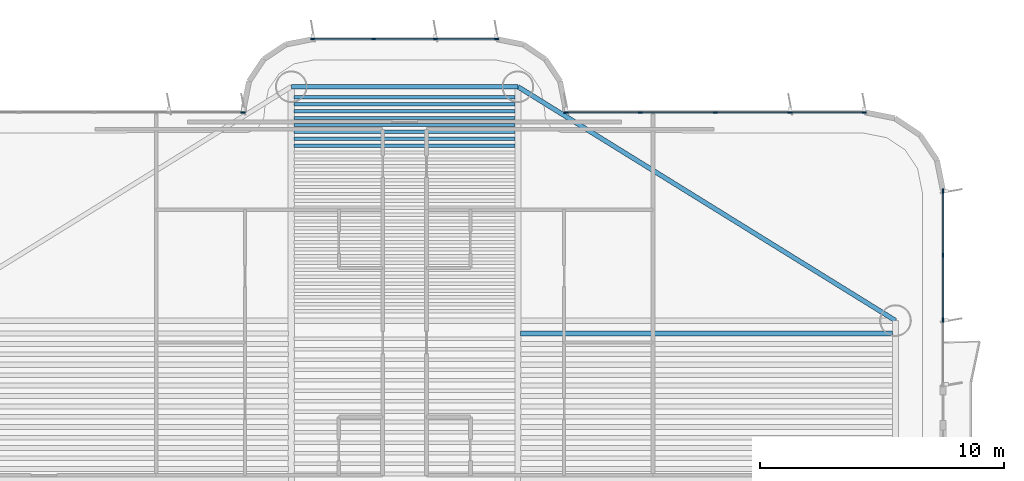
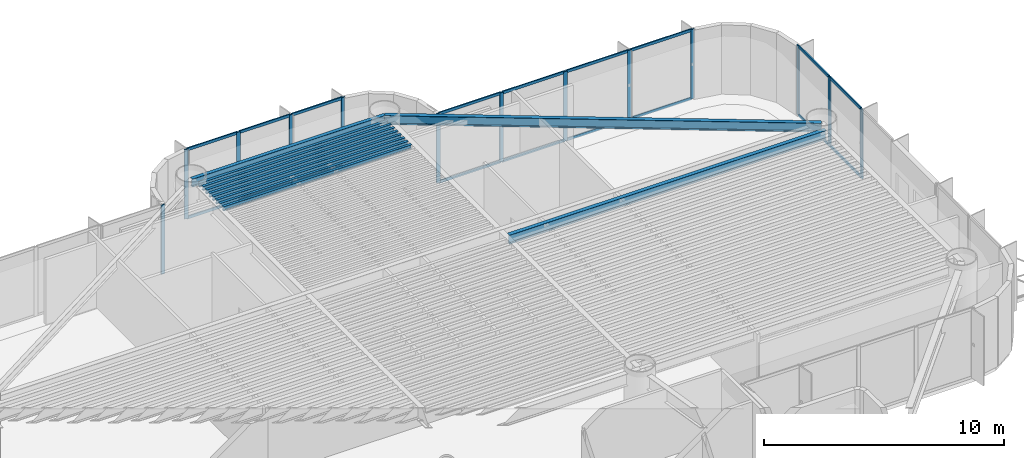
# One storey, part 7 of 16: 31 members, 11 beams, 4 elements without a shape of their own.
"""IFC4 building model written with IfcOpenShell, lengths in metres."""

from ifc_helpers import new_model, si_unit, direction, frame, origin, origin_2d, place, context, subcontext, project, spatial, rectangle, i_section, extrude, source, transform, mapped, material, layer, layer_set, material_profile, profile_set, type_object, element, aggregate, save


model = new_model("IFC4")

# Units and contexts
model_context = context("Model", 3, precision=1e-05, world=origin(), true_north=direction((0.0, 1.0)))
body_context = subcontext(model_context, "Body", "Model", "MODEL_VIEW")
ifc_project = project(units=[si_unit("LENGTHUNIT", "METRE"), si_unit("AREAUNIT", "SQUARE_METRE"), si_unit("VOLUMEUNIT", "CUBIC_METRE"), si_unit("PLANEANGLEUNIT", "RADIAN"), si_unit("MASSUNIT", "GRAM", prefix="KILO")], contexts=[model_context])

# Site, building, storey
site_placement = place(None, origin())
site = spatial("IfcSite", under=ifc_project, at=site_placement, CompositionType="ELEMENT")
building_placement = place(site_placement, origin())
building = spatial("IfcBuilding", under=site, at=building_placement, Name="Brelvock Crest Care Tower", CompositionType="ELEMENT")
storey_placement = place(building_placement, frame((0.0, 0.0, 138.9599609375)))
storey = spatial("IfcBuildingStorey", under=building, at=storey_placement, Name="L35", CompositionType="ELEMENT", Elevation=138.9599609375)

# Beams
ifc_material_1 = material(Name="Steel Grade 350", Category="steel")
ifc_material_profile_1 = material_profile(ifc_material_1, i_section(OverallWidth=0.177978515625, OverallDepth=0.406005859375, WebThickness=0.0078125, FlangeThickness=0.0126953125, FilletRadius=0.011474609375, at=origin_2d()), Name="410UB59.7")
ifc_profile_set_1 = profile_set([ifc_material_profile_1], Name="Steel Grade 350")
beam_type_1 = type_object("IfcBeamType", Name="BM-SP1", PredefinedType="SPANDREL", material=ifc_profile_set_1)
shared_shape_1 = source(origin(), body_context, "Body", "SweptSolid", [
    extrude(i_section(OverallWidth=0.177978515625, OverallDepth=0.406005859375, WebThickness=0.0078125, FlangeThickness=0.0126953125, FilletRadius=0.011474609375, at=origin_2d()), origin(), (0.0, 0.0, 1.0), 9.2998046875),
])
beam_1_placement = place(storey_placement, frame((31.35009765625, 48.449951171875, 3.3271484375), z_axis=(1.0, 0.0, 0.0), x_axis=(0.0, 1.0, 0.0)))
element("IfcBeam", 1, at=beam_1_placement, inside=storey, type_object=beam_type_1, Name="BM-TWR-L35-08", PredefinedType="SPANDREL", context=body_context, shape_type="MappedRepresentation", body=[
    mapped(shared_shape_1, transform((0.0, 0.0, 0.0), x_axis=(1.0, 0.0, 0.0), y_axis=(0.0, 1.0, 0.0), z_axis=(0.0, 0.0, 1.0), scale=1.0)),
])
ifc_material_profile_2 = material_profile(ifc_material_1, i_section(OverallWidth=0.134033203125, OverallDepth=0.20703125, WebThickness=0.00634765625, FlangeThickness=0.009521484375, FilletRadius=0.0087890625, at=origin_2d()), Name="200UB29.8")
ifc_profile_set_2 = profile_set([ifc_material_profile_2], Name="Steel Grade 350")
beam_type_2 = type_object("IfcBeamType", Name="BM-J4", PredefinedType="JOIST", material=ifc_profile_set_2)
shared_shape_2 = source(origin(), body_context, "Body", "SweptSolid", [
    extrude(i_section(OverallWidth=0.134033203125, OverallDepth=0.20703125, WebThickness=0.00634765625, FlangeThickness=0.009521484375, FilletRadius=0.0087890625, at=origin_2d()), origin(), (0.0, 0.0, 1.0), 9.06982421875),
])
for number, where, z_axis, x_axis, name in (
    (2, (31.465087890625, 46.03076171875, 3.426513671875), (1.0, 0.0, 0.0), (0.0, 1.0, 0.0), "BM-JN-L35-25"),
    (3, (31.465087890625, 46.31396484375, 3.426513671875), (1.0, 0.0, 0.0), (0.0, 1.0, 0.0), "BM-JN-L35-26"),
    (4, (31.465087890625, 46.59716796875, 3.426513671875), (1.0, 0.0, 0.0), (0.0, 1.0, 0.0), "BM-JN-L35-27"),
    (5, (31.465087890625, 46.88037109375, 3.426513671875), (1.0, 0.0, 0.0), (0.0, 1.0, 0.0), "BM-JN-L35-28"),
    (6, (31.465087890625, 47.16357421875, 3.426513671875), (1.0, 0.0, 0.0), (0.0, 1.0, 0.0), "BM-JN-L35-29"),
    (7, (31.465087890625, 47.44677734375, 3.426513671875), (1.0, 0.0, 0.0), (0.0, 1.0, 0.0), "BM-JN-L35-30"),
    (8, (31.465087890625, 47.72998046875, 3.426513671875), (1.0, 0.0, 0.0), (0.0, 1.0, 0.0), "BM-JN-L35-31"),
    (9, (31.465087890625, 48.01318359375, 3.426513671875), (1.0, 0.0, 0.0), (0.0, 1.0, 0.0), "BM-JN-L35-32"),
):
    element("IfcBeam", number, at=place(storey_placement, frame(where, z_axis=z_axis, x_axis=x_axis)), inside=storey, type_object=beam_type_2, Name=name, PredefinedType="JOIST", context=body_context, shape_type="MappedRepresentation", body=[
        mapped(shared_shape_2, transform((0.0, 0.0, 0.0), x_axis=(1.0, 0.0, 0.0), y_axis=(0.0, 1.0, 0.0), z_axis=(0.0, 0.0, 1.0), scale=1.0)),
    ])
ifc_material_profile_3 = material_profile(ifc_material_1, i_section(OverallWidth=0.19091796875, OverallDepth=0.4599609375, WebThickness=0.010009765625, FlangeThickness=0.01611328125, FilletRadius=0.011474609375, at=origin_2d()), Name="460UB82.1")
ifc_profile_set_3 = profile_set([ifc_material_profile_3], Name="Steel Grade 350")
beam_type_3 = type_object("IfcBeamType", Name="BM-G3", PredefinedType="BEAM", material=ifc_profile_set_3)
shared_shape_3 = source(origin(), body_context, "Body", "SweptSolid", [
    extrude(i_section(OverallWidth=0.19091796875, OverallDepth=0.4599609375, WebThickness=0.010009765625, FlangeThickness=0.01611328125, FilletRadius=0.011474609375, at=origin_2d()), origin(), (0.0, 0.0, 1.0), 15.27001953125),
])
beam_2_placement = place(storey_placement, frame((40.764892578125, 38.317626953125, 3.300048828125), z_axis=(1.0, 0.0, 0.0), x_axis=(0.0, 1.0, 0.0)))
element("IfcBeam", 10, at=beam_2_placement, inside=storey, type_object=beam_type_3, Name="BM-JE-L35-26", PredefinedType="BEAM", context=body_context, shape_type="MappedRepresentation", body=[
    mapped(shared_shape_3, transform((0.0, 0.0, 0.0), x_axis=(1.0, 0.0, 0.0), y_axis=(0.0, 1.0, 0.0), z_axis=(0.0, 0.0, 1.0), scale=1.0)),
])
ifc_material_profile_4 = material_profile(ifc_material_1, i_section(OverallWidth=0.19091796875, OverallDepth=0.4599609375, WebThickness=0.010009765625, FlangeThickness=0.01611328125, FilletRadius=0.011474609375, at=origin_2d()), Name="460UB82.1")
ifc_profile_set_4 = profile_set([ifc_material_profile_4], Name="Steel Grade 350")
beam_type_4 = type_object("IfcBeamType", Name="BM-SP2", PredefinedType="SPANDREL", material=ifc_profile_set_4)
shared_shape_4 = source(origin(), body_context, "Body", "SweptSolid", [
    extrude(i_section(OverallWidth=0.19091796875, OverallDepth=0.4599609375, WebThickness=0.010009765625, FlangeThickness=0.01611328125, FilletRadius=0.011474609375, at=origin_2d()), origin(), (0.0, 0.0, 1.0), 18.23193359375),
])
beam_3_placement = place(storey_placement, frame((40.64990234375, 48.449951171875, 3.300048828125), z_axis=(0.85015183248, -0.526537616635, 0.0), x_axis=(0.526537616635, 0.85015183248, 0.0)))
element("IfcBeam", 11, at=beam_3_placement, inside=storey, type_object=beam_type_4, Name="BM-TWR-L35-07", PredefinedType="SPANDREL", context=body_context, shape_type="MappedRepresentation", body=[
    mapped(shared_shape_4, transform((0.0, 0.0, 0.0), x_axis=(1.0, 0.0, 0.0), y_axis=(0.0, 1.0, 0.0), z_axis=(0.0, 0.0, 1.0), scale=1.0)),
])

# Curtain wall, member
ifc_material_2 = material(Name="Dark Glass Double Glazed Low-E", Category="glass")
ifc_layer = layer(ifc_material_2, 0.2099609375, Name="CWS-3")
ifc_layer_set = layer_set([ifc_layer], Name="Dark Glass Double Glazed Low-E")
curtain_wall_type = type_object("IfcCurtainWallType", Name="CWS-3", PredefinedType="NOTDEFINED", material=ifc_layer_set)
curtain_wall_1_placement = place(storey_placement, origin())
curtain_wall_1 = element("IfcCurtainWall", 12, at=curtain_wall_1_placement, inside=storey, type_object=curtain_wall_type, Name="L35 Curtain Wall E22", PredefinedType="NOTDEFINED")
ifc_material_3 = material(Name="Aluminium 6063-T6", Category="aluminium")
ifc_material_profile_5 = material_profile(ifc_material_3, rectangle(XDim=0.06005859375, YDim=0.179931640625, at=origin_2d()), Name="ALU60x180")
ifc_profile_set_5 = profile_set([ifc_material_profile_5], Name="Aluminium 6063-T6")
member_type_1 = type_object("IfcMemberType", Name="CWM-2", PredefinedType="MULLION", material=ifc_profile_set_5)
shared_shape_5 = source(origin(), body_context, "Body", "SweptSolid", [
    extrude(rectangle(XDim=0.06005859375, YDim=0.179931640625, at=origin_2d()), origin(), (0.0, 0.0, 1.0), 3.530029296875),
])
member_1_placement = place(storey_placement, frame((29.3701171875, 47.39990234375, 0.0), z_axis=(0.0, 0.0, 1.0), x_axis=(0.0, 1.0, 0.0)))
member_1 = element("IfcMember", 13, at=member_1_placement, type_object=member_type_1, Name="CW-3 mullion 5", PredefinedType="MULLION", context=body_context, shape_type="MappedRepresentation", body=[
    mapped(shared_shape_5, transform((0.0, 0.0, 0.0), x_axis=(1.0, 0.0, 0.0), y_axis=(0.0, 1.0, 0.0), z_axis=(0.0, 0.0, 1.0), scale=1.0)),
])
aggregate(curtain_wall_1, [member_1])

# Curtain wall, members
curtain_wall_2_placement = place(storey_placement, origin())
curtain_wall_2 = element("IfcCurtainWall", 14, at=curtain_wall_2_placement, inside=storey, type_object=curtain_wall_type, Name="L35 Curtain Wall E28", PredefinedType="NOTDEFINED")
member_2_placement = place(storey_placement, frame((32.22998046875, 50.39990234375, 0.0), z_axis=(0.0, 0.0, 1.0), x_axis=(0.0, 1.0, 0.0)))
member_2 = element("IfcMember", 15, at=member_2_placement, type_object=member_type_1, Name="CW-3 mullion 1", PredefinedType="MULLION", context=body_context, shape_type="MappedRepresentation", body=[
    mapped(shared_shape_5, transform((0.0, 0.0, 0.0), x_axis=(1.0, 0.0, 0.0), y_axis=(0.0, 1.0, 0.0), z_axis=(0.0, 0.0, 1.0), scale=1.0)),
])
member_3_placement = place(storey_placement, frame((34.7333984375, 50.39990234375, 0.0), z_axis=(0.0, 0.0, 1.0), x_axis=(0.0, 1.0, 0.0)))
member_3 = element("IfcMember", 16, at=member_3_placement, type_object=member_type_1, Name="CW-3 mullion 2", PredefinedType="MULLION", context=body_context, shape_type="MappedRepresentation", body=[
    mapped(shared_shape_5, transform((0.0, 0.0, 0.0), x_axis=(1.0, 0.0, 0.0), y_axis=(0.0, 1.0, 0.0), z_axis=(0.0, 0.0, 1.0), scale=1.0)),
])
member_4_placement = place(storey_placement, frame((37.2666015625, 50.39990234375, 0.0), z_axis=(0.0, 0.0, 1.0), x_axis=(0.0, 1.0, 0.0)))
member_4 = element("IfcMember", 17, at=member_4_placement, type_object=member_type_1, Name="CW-3 mullion 3", PredefinedType="MULLION", context=body_context, shape_type="MappedRepresentation", body=[
    mapped(shared_shape_5, transform((0.0, 0.0, 0.0), x_axis=(1.0, 0.0, 0.0), y_axis=(0.0, 1.0, 0.0), z_axis=(0.0, 0.0, 1.0), scale=1.0)),
])
member_5_placement = place(storey_placement, frame((39.77001953125, 50.39990234375, 0.0), z_axis=(0.0, 0.0, 1.0), x_axis=(0.0, 1.0, 0.0)))
member_5 = element("IfcMember", 18, at=member_5_placement, type_object=member_type_1, Name="CW-3 mullion 4", PredefinedType="MULLION", context=body_context, shape_type="MappedRepresentation", body=[
    mapped(shared_shape_5, transform((0.0, 0.0, 0.0), x_axis=(1.0, 0.0, 0.0), y_axis=(0.0, 1.0, 0.0), z_axis=(0.0, 0.0, 1.0), scale=1.0)),
])

curtain_wall_3_placement = place(storey_placement, origin())
curtain_wall_3 = element("IfcCurtainWall", 19, at=curtain_wall_3_placement, inside=storey, type_object=curtain_wall_type, Name="L35 Curtain Wall E34", PredefinedType="NOTDEFINED")
member_6_placement = place(storey_placement, frame((42.6298828125, 47.39990234375, 0.0), z_axis=(0.0, 0.0, 1.0), x_axis=(0.0, 1.0, 0.0)))
member_6 = element("IfcMember", 20, at=member_6_placement, type_object=member_type_1, Name="CW-3 mullion 1", PredefinedType="MULLION", context=body_context, shape_type="MappedRepresentation", body=[
    mapped(shared_shape_5, transform((0.0, 0.0, 0.0), x_axis=(1.0, 0.0, 0.0), y_axis=(0.0, 1.0, 0.0), z_axis=(0.0, 0.0, 1.0), scale=1.0)),
])
member_7_placement = place(storey_placement, frame((45.675048828125, 47.39990234375, 0.0), z_axis=(0.0, 0.0, 1.0), x_axis=(0.0, 1.0, 0.0)))
member_7 = element("IfcMember", 21, at=member_7_placement, type_object=member_type_1, Name="CW-3 mullion 2", PredefinedType="MULLION", context=body_context, shape_type="MappedRepresentation", body=[
    mapped(shared_shape_5, transform((0.0, 0.0, 0.0), x_axis=(1.0, 0.0, 0.0), y_axis=(0.0, 1.0, 0.0), z_axis=(0.0, 0.0, 1.0), scale=1.0)),
])
member_8_placement = place(storey_placement, frame((48.75, 47.39990234375, 0.0), z_axis=(0.0, 0.0, 1.0), x_axis=(0.0, 1.0, 0.0)))
member_8 = element("IfcMember", 22, at=member_8_placement, type_object=member_type_1, Name="CW-3 mullion 3", PredefinedType="MULLION", context=body_context, shape_type="MappedRepresentation", body=[
    mapped(shared_shape_5, transform((0.0, 0.0, 0.0), x_axis=(1.0, 0.0, 0.0), y_axis=(0.0, 1.0, 0.0), z_axis=(0.0, 0.0, 1.0), scale=1.0)),
])
member_9_placement = place(storey_placement, frame((51.824951171875, 47.39990234375, 0.0), z_axis=(0.0, 0.0, 1.0), x_axis=(0.0, 1.0, 0.0)))
member_9 = element("IfcMember", 23, at=member_9_placement, type_object=member_type_1, Name="CW-3 mullion 4", PredefinedType="MULLION", context=body_context, shape_type="MappedRepresentation", body=[
    mapped(shared_shape_5, transform((0.0, 0.0, 0.0), x_axis=(1.0, 0.0, 0.0), y_axis=(0.0, 1.0, 0.0), z_axis=(0.0, 0.0, 1.0), scale=1.0)),
])
member_10_placement = place(storey_placement, frame((54.8701171875, 47.39990234375, 0.0), z_axis=(0.0, 0.0, 1.0), x_axis=(0.0, 1.0, 0.0)))
member_10 = element("IfcMember", 24, at=member_10_placement, type_object=member_type_1, Name="CW-3 mullion 5", PredefinedType="MULLION", context=body_context, shape_type="MappedRepresentation", body=[
    mapped(shared_shape_5, transform((0.0, 0.0, 0.0), x_axis=(1.0, 0.0, 0.0), y_axis=(0.0, 1.0, 0.0), z_axis=(0.0, 0.0, 1.0), scale=1.0)),
])

curtain_wall_4_placement = place(storey_placement, origin())
curtain_wall_4 = element("IfcCurtainWall", 25, at=curtain_wall_4_placement, inside=storey, type_object=curtain_wall_type, Name="L35 Curtain Wall E39A", PredefinedType="NOTDEFINED")
member_11_placement = place(storey_placement, frame((58.10009765625, 44.169921875, 0.0), z_axis=(0.0, 0.0, 1.0), x_axis=(1.0, 0.0, 0.0)))
member_11 = element("IfcMember", 26, at=member_11_placement, type_object=member_type_1, Name="CW-3 mullion 1", PredefinedType="MULLION", context=body_context, shape_type="MappedRepresentation", body=[
    mapped(shared_shape_5, transform((0.0, 0.0, 0.0), x_axis=(1.0, 0.0, 0.0), y_axis=(0.0, 1.0, 0.0), z_axis=(0.0, 0.0, 1.0), scale=1.0)),
])
member_12_placement = place(storey_placement, frame((58.10009765625, 41.533447265625, 0.0), z_axis=(0.0, 0.0, 1.0), x_axis=(1.0, 0.0, 0.0)))
member_12 = element("IfcMember", 27, at=member_12_placement, type_object=member_type_1, Name="CW-3 mullion 2", PredefinedType="MULLION", context=body_context, shape_type="MappedRepresentation", body=[
    mapped(shared_shape_5, transform((0.0, 0.0, 0.0), x_axis=(1.0, 0.0, 0.0), y_axis=(0.0, 1.0, 0.0), z_axis=(0.0, 0.0, 1.0), scale=1.0)),
])
member_13_placement = place(storey_placement, frame((58.10009765625, 38.86669921875, 0.0), z_axis=(0.0, 0.0, 1.0), x_axis=(1.0, 0.0, 0.0)))
member_13 = element("IfcMember", 28, at=member_13_placement, type_object=member_type_1, Name="CW-3 mullion 3", PredefinedType="MULLION", context=body_context, shape_type="MappedRepresentation", body=[
    mapped(shared_shape_5, transform((0.0, 0.0, 0.0), x_axis=(1.0, 0.0, 0.0), y_axis=(0.0, 1.0, 0.0), z_axis=(0.0, 0.0, 1.0), scale=1.0)),
])

# Member
ifc_material_profile_6 = material_profile(ifc_material_3, rectangle(XDim=0.06005859375, YDim=0.139892578125, at=origin_2d()), Name="ALU60x140")
ifc_profile_set_6 = profile_set([ifc_material_profile_6], Name="Aluminium 6063-T6")
member_type_2 = type_object("IfcMemberType", Name="CWT-2", PredefinedType="USERDEFINED", material=ifc_profile_set_6)
shared_shape_6 = source(origin(), body_context, "Body", "SweptSolid", [
    extrude(rectangle(XDim=0.06005859375, YDim=0.139892578125, at=origin_2d()), origin(), (0.0, 0.0, 1.0), 2.985107421875),
])
member_14_placement = place(storey_placement, frame((42.659912109375, 47.39990234375, 0.030029296875), z_axis=(1.0, 0.0, 0.0), x_axis=(0.0, 1.0, 0.0)))
member_14 = element("IfcMember", 29, at=member_14_placement, type_object=member_type_2, Name="CW-3 transom 1.1", ObjectType="TRANSOM", PredefinedType="USERDEFINED", context=body_context, shape_type="MappedRepresentation", body=[
    mapped(shared_shape_6, transform((0.0, 0.0, 0.0), x_axis=(1.0, 0.0, 0.0), y_axis=(0.0, 1.0, 0.0), z_axis=(0.0, 0.0, 1.0), scale=1.0)),
])

member_15_placement = place(storey_placement, frame((42.659912109375, 47.39990234375, 3.5), z_axis=(1.0, 0.0, 0.0), x_axis=(0.0, 1.0, 0.0)))
member_15 = element("IfcMember", 30, at=member_15_placement, type_object=member_type_2, Name="CW-3 transom 1.2", ObjectType="TRANSOM", PredefinedType="USERDEFINED", context=body_context, shape_type="MappedRepresentation", body=[
    mapped(shared_shape_6, transform((0.0, 0.0, 0.0), x_axis=(1.0, 0.0, 0.0), y_axis=(0.0, 1.0, 0.0), z_axis=(0.0, 0.0, 1.0), scale=1.0)),
])

member_16_placement = place(storey_placement, frame((51.85498046875, 47.39990234375, 0.030029296875), z_axis=(1.0, 0.0, 0.0), x_axis=(0.0, 1.0, 0.0)))
member_16 = element("IfcMember", 31, at=member_16_placement, type_object=member_type_2, Name="CW-3 transom 4.1", ObjectType="TRANSOM", PredefinedType="USERDEFINED", context=body_context, shape_type="MappedRepresentation", body=[
    mapped(shared_shape_6, transform((0.0, 0.0, 0.0), x_axis=(1.0, 0.0, 0.0), y_axis=(0.0, 1.0, 0.0), z_axis=(0.0, 0.0, 1.0), scale=1.0)),
])

member_17_placement = place(storey_placement, frame((51.85498046875, 47.39990234375, 3.5), z_axis=(1.0, 0.0, 0.0), x_axis=(0.0, 1.0, 0.0)))
member_17 = element("IfcMember", 32, at=member_17_placement, type_object=member_type_2, Name="CW-3 transom 4.2", ObjectType="TRANSOM", PredefinedType="USERDEFINED", context=body_context, shape_type="MappedRepresentation", body=[
    mapped(shared_shape_6, transform((0.0, 0.0, 0.0), x_axis=(1.0, 0.0, 0.0), y_axis=(0.0, 1.0, 0.0), z_axis=(0.0, 0.0, 1.0), scale=1.0)),
])

shared_shape_7 = source(origin(), body_context, "Body", "SweptSolid", [
    extrude(rectangle(XDim=0.06005859375, YDim=0.139892578125, at=origin_2d()), origin(), (0.0, 0.0, 1.0), 3.014892578125),
])
member_18_placement = place(storey_placement, frame((45.705078125, 47.39990234375, 0.030029296875), z_axis=(1.0, 0.0, 0.0), x_axis=(0.0, 1.0, 0.0)))
member_18 = element("IfcMember", 33, at=member_18_placement, type_object=member_type_2, Name="CW-3 transom 2.1", ObjectType="TRANSOM", PredefinedType="USERDEFINED", context=body_context, shape_type="MappedRepresentation", body=[
    mapped(shared_shape_7, transform((0.0, 0.0, 0.0), x_axis=(1.0, 0.0, 0.0), y_axis=(0.0, 1.0, 0.0), z_axis=(0.0, 0.0, 1.0), scale=1.0)),
])

member_19_placement = place(storey_placement, frame((45.705078125, 47.39990234375, 3.5), z_axis=(1.0, 0.0, 0.0), x_axis=(0.0, 1.0, 0.0)))
member_19 = element("IfcMember", 34, at=member_19_placement, type_object=member_type_2, Name="CW-3 transom 2.2", ObjectType="TRANSOM", PredefinedType="USERDEFINED", context=body_context, shape_type="MappedRepresentation", body=[
    mapped(shared_shape_7, transform((0.0, 0.0, 0.0), x_axis=(1.0, 0.0, 0.0), y_axis=(0.0, 1.0, 0.0), z_axis=(0.0, 0.0, 1.0), scale=1.0)),
])

member_20_placement = place(storey_placement, frame((48.780029296875, 47.39990234375, 0.030029296875), z_axis=(1.0, 0.0, 0.0), x_axis=(0.0, 1.0, 0.0)))
member_20 = element("IfcMember", 35, at=member_20_placement, type_object=member_type_2, Name="CW-3 transom 3.1", ObjectType="TRANSOM", PredefinedType="USERDEFINED", context=body_context, shape_type="MappedRepresentation", body=[
    mapped(shared_shape_7, transform((0.0, 0.0, 0.0), x_axis=(1.0, 0.0, 0.0), y_axis=(0.0, 1.0, 0.0), z_axis=(0.0, 0.0, 1.0), scale=1.0)),
])

member_21_placement = place(storey_placement, frame((48.780029296875, 47.39990234375, 3.5), z_axis=(1.0, 0.0, 0.0), x_axis=(0.0, 1.0, 0.0)))
member_21 = element("IfcMember", 36, at=member_21_placement, type_object=member_type_2, Name="CW-3 transom 3.2", ObjectType="TRANSOM", PredefinedType="USERDEFINED", context=body_context, shape_type="MappedRepresentation", body=[
    mapped(shared_shape_7, transform((0.0, 0.0, 0.0), x_axis=(1.0, 0.0, 0.0), y_axis=(0.0, 1.0, 0.0), z_axis=(0.0, 0.0, 1.0), scale=1.0)),
])

aggregate(curtain_wall_3, [member_6, member_7, member_8, member_9, member_10, member_14, member_15, member_18, member_19, member_20, member_21, member_16, member_17])

shared_shape_8 = source(origin(), body_context, "Body", "SweptSolid", [
    extrude(rectangle(XDim=0.06005859375, YDim=0.139892578125, at=origin_2d()), origin(), (0.0, 0.0, 1.0), 2.443359375),
])
member_22_placement = place(storey_placement, frame((32.260009765625, 50.39990234375, 0.030029296875), z_axis=(1.0, 0.0, 0.0), x_axis=(0.0, 1.0, 0.0)))
member_22 = element("IfcMember", 37, at=member_22_placement, type_object=member_type_2, Name="CW-3 transom 1.1", ObjectType="TRANSOM", PredefinedType="USERDEFINED", context=body_context, shape_type="MappedRepresentation", body=[
    mapped(shared_shape_8, transform((0.0, 0.0, 0.0), x_axis=(1.0, 0.0, 0.0), y_axis=(0.0, 1.0, 0.0), z_axis=(0.0, 0.0, 1.0), scale=1.0)),
])

member_23_placement = place(storey_placement, frame((32.260009765625, 50.39990234375, 3.5), z_axis=(1.0, 0.0, 0.0), x_axis=(0.0, 1.0, 0.0)))
member_23 = element("IfcMember", 38, at=member_23_placement, type_object=member_type_2, Name="CW-3 transom 1.2", ObjectType="TRANSOM", PredefinedType="USERDEFINED", context=body_context, shape_type="MappedRepresentation", body=[
    mapped(shared_shape_8, transform((0.0, 0.0, 0.0), x_axis=(1.0, 0.0, 0.0), y_axis=(0.0, 1.0, 0.0), z_axis=(0.0, 0.0, 1.0), scale=1.0)),
])

member_24_placement = place(storey_placement, frame((37.296630859375, 50.39990234375, 0.030029296875), z_axis=(1.0, 0.0, 0.0), x_axis=(0.0, 1.0, 0.0)))
member_24 = element("IfcMember", 39, at=member_24_placement, type_object=member_type_2, Name="CW-3 transom 3.1", ObjectType="TRANSOM", PredefinedType="USERDEFINED", context=body_context, shape_type="MappedRepresentation", body=[
    mapped(shared_shape_8, transform((0.0, 0.0, 0.0), x_axis=(1.0, 0.0, 0.0), y_axis=(0.0, 1.0, 0.0), z_axis=(0.0, 0.0, 1.0), scale=1.0)),
])

member_25_placement = place(storey_placement, frame((37.296630859375, 50.39990234375, 3.5), z_axis=(1.0, 0.0, 0.0), x_axis=(0.0, 1.0, 0.0)))
member_25 = element("IfcMember", 40, at=member_25_placement, type_object=member_type_2, Name="CW-3 transom 3.2", ObjectType="TRANSOM", PredefinedType="USERDEFINED", context=body_context, shape_type="MappedRepresentation", body=[
    mapped(shared_shape_8, transform((0.0, 0.0, 0.0), x_axis=(1.0, 0.0, 0.0), y_axis=(0.0, 1.0, 0.0), z_axis=(0.0, 0.0, 1.0), scale=1.0)),
])

shared_shape_9 = source(origin(), body_context, "Body", "SweptSolid", [
    extrude(rectangle(XDim=0.06005859375, YDim=0.139892578125, at=origin_2d()), origin(), (0.0, 0.0, 1.0), 2.47314453125),
])
member_26_placement = place(storey_placement, frame((34.763427734375, 50.39990234375, 0.030029296875), z_axis=(1.0, 0.0, 0.0), x_axis=(0.0, 1.0, 0.0)))
member_26 = element("IfcMember", 41, at=member_26_placement, type_object=member_type_2, Name="CW-3 transom 2.1", ObjectType="TRANSOM", PredefinedType="USERDEFINED", context=body_context, shape_type="MappedRepresentation", body=[
    mapped(shared_shape_9, transform((0.0, 0.0, 0.0), x_axis=(1.0, 0.0, 0.0), y_axis=(0.0, 1.0, 0.0), z_axis=(0.0, 0.0, 1.0), scale=1.0)),
])

member_27_placement = place(storey_placement, frame((34.763427734375, 50.39990234375, 3.5), z_axis=(1.0, 0.0, 0.0), x_axis=(0.0, 1.0, 0.0)))
member_27 = element("IfcMember", 42, at=member_27_placement, type_object=member_type_2, Name="CW-3 transom 2.2", ObjectType="TRANSOM", PredefinedType="USERDEFINED", context=body_context, shape_type="MappedRepresentation", body=[
    mapped(shared_shape_9, transform((0.0, 0.0, 0.0), x_axis=(1.0, 0.0, 0.0), y_axis=(0.0, 1.0, 0.0), z_axis=(0.0, 0.0, 1.0), scale=1.0)),
])

aggregate(curtain_wall_2, [member_2, member_3, member_4, member_5, member_22, member_23, member_26, member_27, member_24, member_25])

shared_shape_10 = source(origin(), body_context, "Body", "SweptSolid", [
    extrude(rectangle(XDim=0.06005859375, YDim=0.139892578125, at=origin_2d()), origin(), (0.0, 0.0, 1.0), 2.57666015625),
])
member_28_placement = place(storey_placement, frame((58.10009765625, 44.139892578125, 0.030029296875), z_axis=(0.0, -1.0, 0.0), x_axis=(1.0, 0.0, 0.0)))
member_28 = element("IfcMember", 43, at=member_28_placement, type_object=member_type_2, Name="CW-3 transom 1.1", ObjectType="TRANSOM", PredefinedType="USERDEFINED", context=body_context, shape_type="MappedRepresentation", body=[
    mapped(shared_shape_10, transform((0.0, 0.0, 0.0), x_axis=(1.0, 0.0, 0.0), y_axis=(0.0, 1.0, 0.0), z_axis=(0.0, 0.0, 1.0), scale=1.0)),
])

member_29_placement = place(storey_placement, frame((58.10009765625, 44.139892578125, 3.5), z_axis=(0.0, -1.0, 0.0), x_axis=(1.0, 0.0, 0.0)))
member_29 = element("IfcMember", 44, at=member_29_placement, type_object=member_type_2, Name="CW-3 transom 1.2", ObjectType="TRANSOM", PredefinedType="USERDEFINED", context=body_context, shape_type="MappedRepresentation", body=[
    mapped(shared_shape_10, transform((0.0, 0.0, 0.0), x_axis=(1.0, 0.0, 0.0), y_axis=(0.0, 1.0, 0.0), z_axis=(0.0, 0.0, 1.0), scale=1.0)),
])

shared_shape_11 = source(origin(), body_context, "Body", "SweptSolid", [
    extrude(rectangle(XDim=0.06005859375, YDim=0.139892578125, at=origin_2d()), origin(), (0.0, 0.0, 1.0), 2.606689453125),
])
member_30_placement = place(storey_placement, frame((58.10009765625, 41.50341796875, 0.030029296875), z_axis=(0.0, -1.0, 0.0), x_axis=(1.0, 0.0, 0.0)))
member_30 = element("IfcMember", 45, at=member_30_placement, type_object=member_type_2, Name="CW-3 transom 2.1", ObjectType="TRANSOM", PredefinedType="USERDEFINED", context=body_context, shape_type="MappedRepresentation", body=[
    mapped(shared_shape_11, transform((0.0, 0.0, 0.0), x_axis=(1.0, 0.0, 0.0), y_axis=(0.0, 1.0, 0.0), z_axis=(0.0, 0.0, 1.0), scale=1.0)),
])

member_31_placement = place(storey_placement, frame((58.10009765625, 41.50341796875, 3.5), z_axis=(0.0, -1.0, 0.0), x_axis=(1.0, 0.0, 0.0)))
member_31 = element("IfcMember", 46, at=member_31_placement, type_object=member_type_2, Name="CW-3 transom 2.2", ObjectType="TRANSOM", PredefinedType="USERDEFINED", context=body_context, shape_type="MappedRepresentation", body=[
    mapped(shared_shape_11, transform((0.0, 0.0, 0.0), x_axis=(1.0, 0.0, 0.0), y_axis=(0.0, 1.0, 0.0), z_axis=(0.0, 0.0, 1.0), scale=1.0)),
])

aggregate(curtain_wall_4, [member_11, member_12, member_13, member_28, member_29, member_30, member_31])

save(model, "model.ifc")
